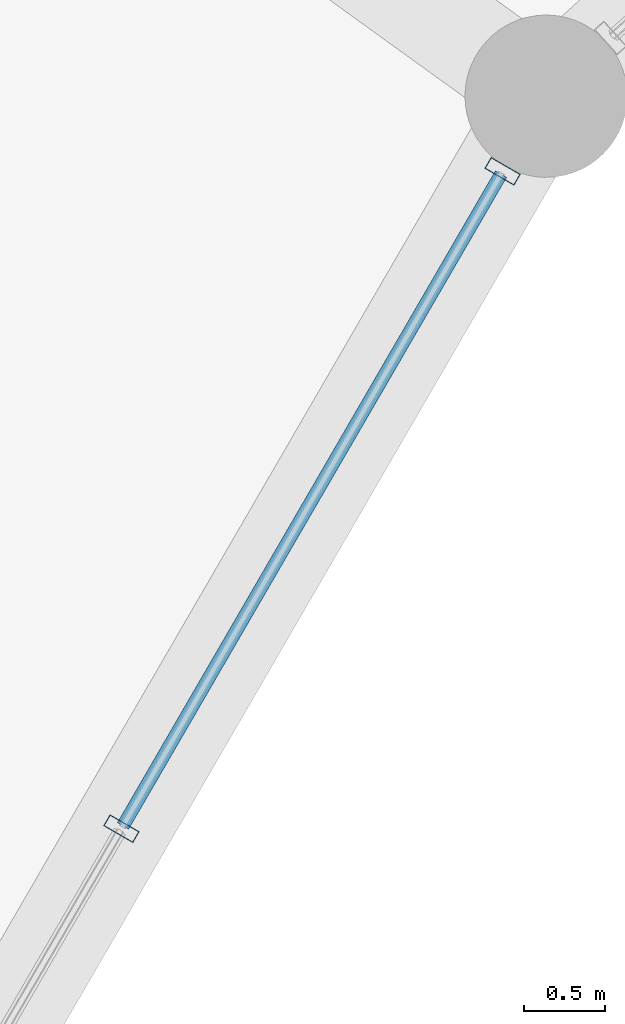
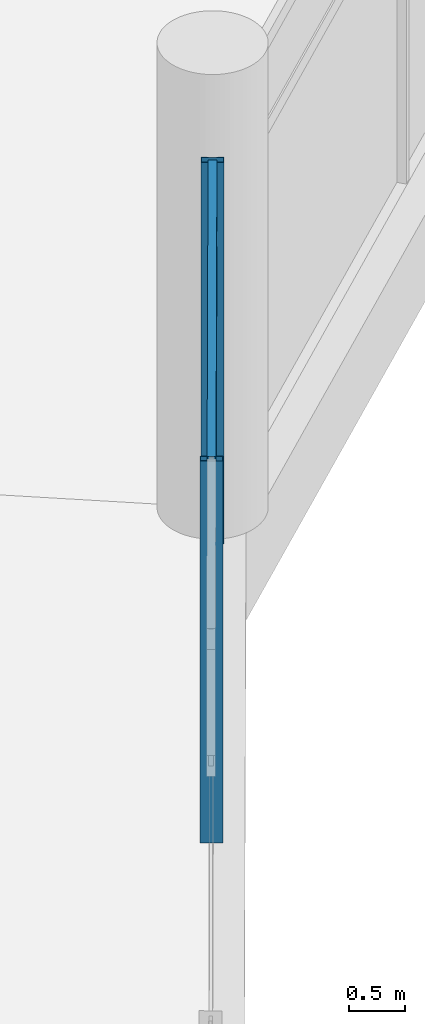
# One storey, part 59 of 184: 4 members, 1 element without a shape of its own.
"""IFC4 building model written with IfcOpenShell, lengths in metres."""

from ifc_helpers import new_model, si_unit, direction, frame, origin, origin_2d, place, context, subcontext, project, spatial, hollow_rectangle, extrude, material, layer, layer_set, material_profile, profile_set, type_object, element, aggregate, save


model = new_model("IFC4")

# Units and contexts
model_context = context("Model", 3, precision=1e-05, world=origin(), true_north=direction((0.0, 1.0)))
body_context = subcontext(model_context, "Body", "Model", "MODEL_VIEW")
ifc_project = project(units=[si_unit("LENGTHUNIT", "METRE"), si_unit("AREAUNIT", "SQUARE_METRE"), si_unit("VOLUMEUNIT", "CUBIC_METRE"), si_unit("PLANEANGLEUNIT", "RADIAN"), si_unit("MASSUNIT", "GRAM", prefix="KILO")], contexts=[model_context])

# Site, building, storey
site_placement = place(None, origin())
site = spatial("IfcSite", under=ifc_project, at=site_placement, CompositionType="ELEMENT")
building_placement = place(site_placement, origin())
building = spatial("IfcBuilding", under=site, at=building_placement, Name="Kazemori Nagisa Stadium", CompositionType="ELEMENT")
storey_placement = place(building_placement, frame((0.0, 0.0, 10.5400390625)))
storey = spatial("IfcBuildingStorey", under=building, at=storey_placement, Name="L02", CompositionType="ELEMENT", Elevation=10.5400390625)

# Curtain wall, members
ifc_material_1 = material(Name="Anodised aluminium 6063-T5", Category="aluminium")
ifc_layer = layer(ifc_material_1, 0.2099609375, Name="Anodised aluminium 6063-T5", Category="aluminium")
ifc_layer_set = layer_set([ifc_layer], Name="Anodised aluminium 6063-T5")
curtain_wall_type = type_object("IfcCurtainWallType", Name="CW_L02B_71", PredefinedType="USERDEFINED", material=ifc_layer_set)
curtain_wall_placement = place(storey_placement, origin())
curtain_wall = element("IfcCurtainWall", 1, at=curtain_wall_placement, inside=storey, type_object=curtain_wall_type, Name="Unitised curtain wall CW-L02B-71 L02", ObjectType="UNITISED CURTAIN WALL", PredefinedType="USERDEFINED")
ifc_material_2 = material(Name="Aluminium 6063-T5 anodised", Category="aluminium")
ifc_material_profile_1 = material_profile(ifc_material_2, hollow_rectangle(XDim=0.080078125, YDim=0.2099609375, WallThickness=0.0048828125, at=origin_2d()), Name="ALU-MULL-80x210x5")
ifc_profile_set_1 = profile_set([ifc_material_profile_1], Name="Aluminium 6063-T5 anodised")
member_type_1 = type_object("IfcMemberType", Name="Mullion_M02", PredefinedType="MULLION", material=ifc_profile_set_1)
member_1_placement = place(storey_placement, frame((65.429931640625, 142.904541015625, 0.0), z_axis=(0.0, 0.0, 1.0), x_axis=(-0.501611590054, -0.865092950337, 0.0)))
member_1 = element("IfcMember", 2, at=member_1_placement, type_object=member_type_1, Name="Curtain wall mullion CW-L02B-71-M1", PredefinedType="MULLION", context=body_context, shape_type="SweptSolid", body=[
    extrude(hollow_rectangle(XDim=0.080078125, YDim=0.2099609375, WallThickness=0.0048828125, at=origin_2d()), origin(), (0.0, 0.0, 1.0), 4.18994140625),
])
member_2_placement = place(storey_placement, frame((63.080810546875, 138.85302734375, 0.0), z_axis=(0.0, 0.0, 1.0), x_axis=(-0.501611590054, -0.865092950337, 0.0)))
member_2 = element("IfcMember", 3, at=member_2_placement, type_object=member_type_1, Name="Curtain wall mullion CW-L02B-71-M2", PredefinedType="MULLION", context=body_context, shape_type="SweptSolid", body=[
    extrude(hollow_rectangle(XDim=0.080078125, YDim=0.2099609375, WallThickness=0.0048828125, at=origin_2d()), origin(), (0.0, 0.0, 1.0), 4.18994140625),
])
ifc_material_profile_2 = material_profile(ifc_material_2, hollow_rectangle(XDim=0.080078125, YDim=0.159912109375, WallThickness=0.00390625, at=origin_2d()), Name="ALU-TRAN-80x160x4")
ifc_profile_set_2 = profile_set([ifc_material_profile_2], Name="Aluminium 6063-T5 anodised")
member_type_2 = type_object("IfcMemberType", Name="Transom_T02", PredefinedType="USERDEFINED", material=ifc_profile_set_2)
member_3_placement = place(storey_placement, frame((65.419921875, 142.88720703125, 3.184326171875), z_axis=(-0.501610282552, -0.865093708472, 0.0), x_axis=(0.865093708472, -0.501610282552, 0.0)))
member_3 = element("IfcMember", 4, at=member_3_placement, type_object=member_type_2, Name="Curtain wall transom CW-L02B-71-T1-mid", ObjectType="TRANSOM", PredefinedType="USERDEFINED", context=body_context, shape_type="SweptSolid", body=[
    extrude(hollow_rectangle(XDim=0.080078125, YDim=0.159912109375, WallThickness=0.00390625, at=origin_2d()), origin(), (0.0, 0.0, 1.0), 4.643310546875),
])
member_4_placement = place(storey_placement, frame((65.419921875, 142.88720703125, 4.119873046875), z_axis=(-0.501610282552, -0.865093708472, 0.0), x_axis=(0.865093708472, -0.501610282552, 0.0)))
member_4 = element("IfcMember", 5, at=member_4_placement, type_object=member_type_2, Name="Curtain wall transom CW-L02B-71-T1-head", ObjectType="TRANSOM", PredefinedType="USERDEFINED", context=body_context, shape_type="SweptSolid", body=[
    extrude(hollow_rectangle(XDim=0.080078125, YDim=0.159912109375, WallThickness=0.00390625, at=origin_2d()), origin(), (0.0, 0.0, 1.0), 4.643310546875),
])
aggregate(curtain_wall, [member_1, member_2, member_3, member_4])

save(model, "model.ifc")
